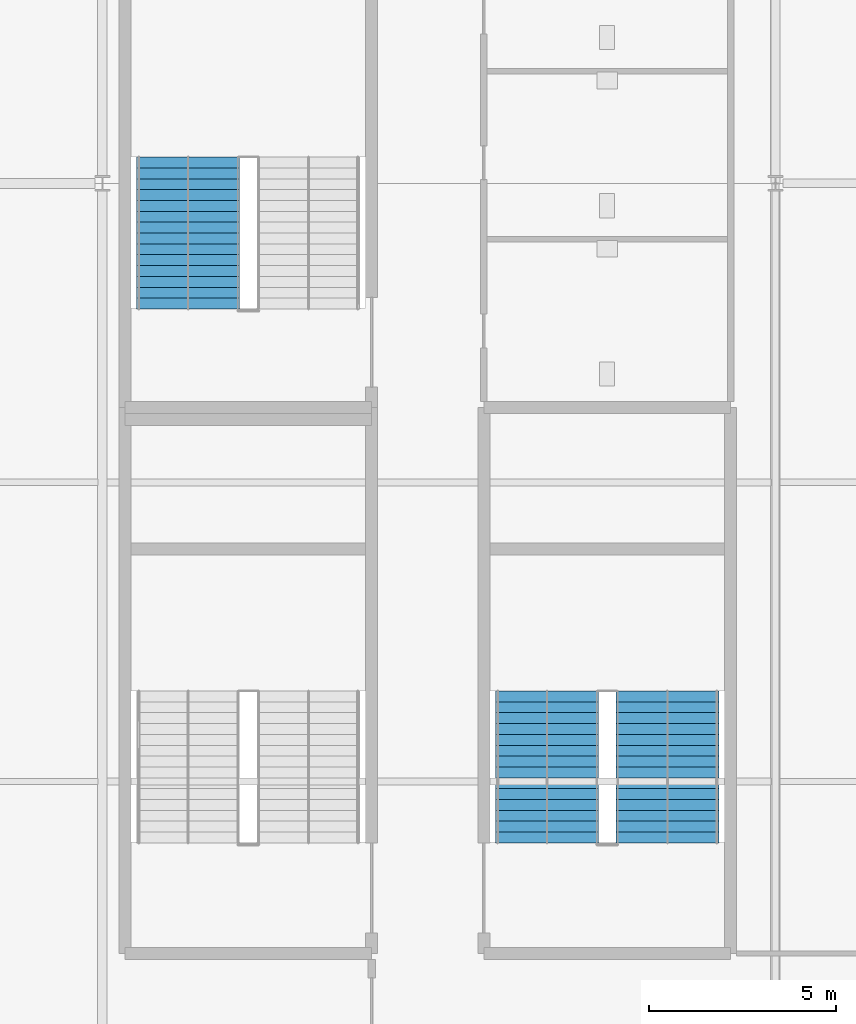
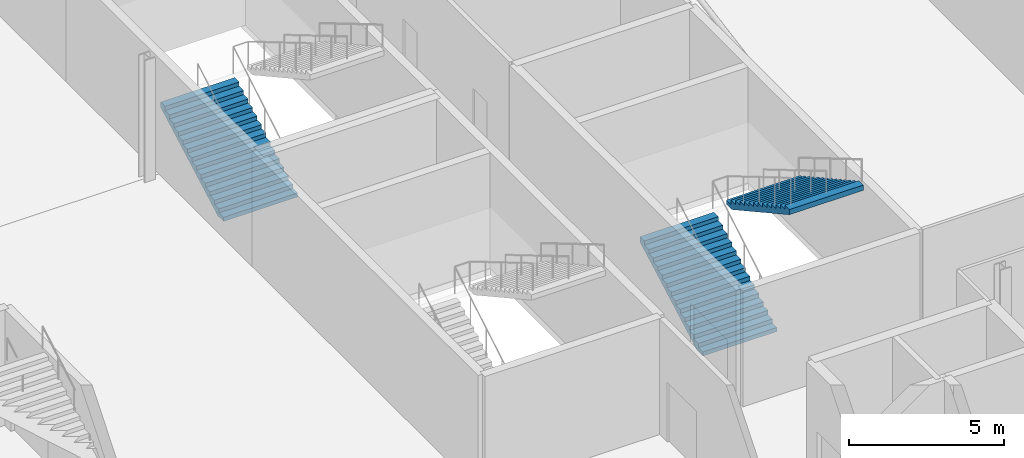
# One storey, part 122 of 136: 3 stair flights, 2 elements without a shape of their own.
"""IFC4 building model written with IfcOpenShell, lengths in metres."""

import ifcopenshell
import ifcopenshell.guid

model = None  # the IFC model being written
_history = None  # IfcOwnerHistory: only IFC2X3 demands one
_inside = {}  # id of a spatial element -> (the spatial element, [elements in it])
_under = {}  # id of a project, library or spatial element -> (it, [spatial elements below it])
_declared = {}  # id of a project -> (the project, [libraries it declares])
_typed = {}  # id of a type object -> (the type object, [elements of that type])
_made_of = {}  # id of a material, layer set ... -> (it, [elements and type objects made of it])


def new_model(schema):
    """Start an empty IFC model of exactly this schema.

    Asked for "IFC4X3", IfcOpenShell would pick the latest addendum, in which some entities
    have other attributes; the version numbers below select the first issue.
    IFC2X3 requires an IfcOwnerHistory on every rooted entity: one is made here for all.
    """
    global model, _history
    if schema == "IFC4X3":
        model = ifcopenshell.file(schema_version=(4, 3, 0, 0))
    else:
        model = ifcopenshell.file(schema=schema)
    _inside.clear()
    _under.clear()
    _declared.clear()
    _typed.clear()
    _made_of.clear()
    _history = None
    if model.schema == "IFC2X3":
        org = make("IfcOrganization", Name="unknown")
        user = make(
            "IfcPersonAndOrganization",
            ThePerson=make("IfcPerson", FamilyName="unknown"),
            TheOrganization=org,
        )
        app = make(
            "IfcApplication",
            ApplicationDeveloper=org,
            Version="unknown",
            ApplicationFullName="unknown",
            ApplicationIdentifier="unknown",
        )
        _history = make(
            "IfcOwnerHistory",
            OwningUser=user,
            OwningApplication=app,
            ChangeAction="ADDED",
            CreationDate=0,
        )
    return model


def make(cls, **values):
    """One entity of the class cls with the attributes given. An attribute that is None is left unset."""
    return model.create_entity(
        cls, **{name: value for name, value in values.items() if value is not None}
    )


def rooted(cls, **values):
    """An entity with a GlobalId (a new one), such as an element, a storey or a relation."""
    return make(cls, GlobalId=ifcopenshell.guid.new(), OwnerHistory=_history, **values)


def si_unit(unit_type, name, prefix=None):
    """IfcSIUnit, for example si_unit("LENGTHUNIT", "METRE", prefix="MILLI")."""
    return make("IfcSIUnit", UnitType=unit_type, Prefix=prefix, Name=name)


def assignment(units):
    """IfcUnitAssignment: the units of a project."""
    return None if units is None else make("IfcUnitAssignment", Units=units)


def point(xyz):
    """IfcCartesianPoint."""
    return None if xyz is None else make("IfcCartesianPoint", Coordinates=xyz)


def direction(xyz):
    """IfcDirection."""
    return None if xyz is None else make("IfcDirection", DirectionRatios=xyz)


def frame(location, z_axis=None, x_axis=None):
    """IfcAxis2Placement3D, a coordinate frame: its origin and axes. An axis left out is left unset."""
    return make(
        "IfcAxis2Placement3D",
        Location=point(location),
        Axis=direction(z_axis),
        RefDirection=direction(x_axis),
    )


def origin():
    """The frame at (0, 0, 0) with its axes left unset."""
    return frame((0.0, 0.0, 0.0))


def place(relative_to, where):
    """IfcLocalPlacement: puts the frame where relative to a parent placement (None: the world)."""
    return make(
        "IfcLocalPlacement", PlacementRelTo=relative_to, RelativePlacement=where
    )


def context(
    kind, dimensions, precision=None, world=None, true_north=None, identifier=None
):
    """IfcGeometricRepresentationContext, for example the 3D "Model" context."""
    return make(
        "IfcGeometricRepresentationContext",
        ContextIdentifier=identifier,
        ContextType=kind,
        CoordinateSpaceDimension=dimensions,
        Precision=precision,
        WorldCoordinateSystem=world,
        TrueNorth=true_north,
    )


def subcontext(parent, identifier, kind, view, scale=None):
    """IfcGeometricRepresentationSubContext, for example "Body" below "Model"."""
    return make(
        "IfcGeometricRepresentationSubContext",
        ContextIdentifier=identifier,
        ContextType=kind,
        ParentContext=parent,
        TargetScale=scale,
        TargetView=view,
    )


def project(units=None, contexts=None):
    """IfcProject with its units and contexts."""
    return rooted(
        "IfcProject",
        Name="project",
        RepresentationContexts=contexts,
        UnitsInContext=assignment(units),
    )


def spatial(cls, under=None, at=None, **own):
    """A site, building, storey or space (cls), placed at a placement, below another one or the project."""
    s = rooted(cls, ObjectPlacement=at, **own)
    if under is not None:
        _under.setdefault(under.id(), (under, []))[1].append(s)
    return s


def point_list(points):
    """IfcCartesianPointList2D or 3D."""
    cls = (
        "IfcCartesianPointList2D" if len(points[0]) == 2 else "IfcCartesianPointList3D"
    )
    return make(cls, CoordList=points)


def polygons(points, faces, closed=None, point_numbers=None):
    """IfcPolygonalFaceSet: a face is its outer loop, then its inner loops; points numbered from 1."""
    made = []
    for loops in faces:
        if len(loops) == 1:
            made.append(make("IfcIndexedPolygonalFace", CoordIndex=loops[0]))
        else:
            made.append(
                make(
                    "IfcIndexedPolygonalFaceWithVoids",
                    CoordIndex=loops[0],
                    InnerCoordIndices=loops[1:],
                )
            )
    return make(
        "IfcPolygonalFaceSet",
        Coordinates=point_list(points),
        Closed=closed,
        Faces=made,
        PnIndex=point_numbers,
    )


def shape(context_of_items, identifier, shape_type, items):
    """IfcShapeRepresentation: the items that make up one representation, for example the "Body"."""
    return make(
        "IfcShapeRepresentation",
        ContextOfItems=context_of_items,
        RepresentationIdentifier=identifier,
        RepresentationType=shape_type,
        Items=items,
    )


def material(Name=None, Category=None):
    """IfcMaterial."""
    return make("IfcMaterial", Name=Name, Category=Category)


def made_of(thing, what):
    """Note that an element or type object is made of a material, layer set ...; save() writes the relation."""
    if what is not None:
        _made_of.setdefault(what.id(), (what, []))[1].append(thing)
    return thing


def type_object(cls, material=None, **own):
    """A type object (cls), such as IfcWallType, which elements share."""
    return made_of(rooted(cls, **own), material)


def element(
    cls,
    number,
    at=None,
    inside=None,
    cuts=None,
    type_object=None,
    material=None,
    context=None,
    identifier="Body",
    shape_type=None,
    held_by="IfcProductDefinitionShape",
    body=None,
    shapes=None,
    **own,
):
    """One element of the class cls, such as IfcWall. Its Tag is "e" and its number.

    at: its placement. inside: the storey or other place that contains it. cuts: it is an
    opening in that element (IfcRelVoidsElement). A single representation is given by context,
    identifier, shape_type and body (its items); several are given by shapes. held_by: the class
    of the entity that holds the representations. save() writes the other relations.
    """
    e = rooted(cls, Tag="e%d" % number, ObjectPlacement=at, **own)
    if body is not None:
        shapes = [shape(context, identifier, shape_type, body)]
    if shapes is not None:
        e.Representation = make(held_by, Representations=shapes)
    if inside is not None:
        _inside.setdefault(inside.id(), (inside, []))[1].append(e)
    if cuts is not None:
        rooted(
            "IfcRelVoidsElement", RelatingBuildingElement=cuts, RelatedOpeningElement=e
        )
    if type_object is not None:
        _typed.setdefault(type_object.id(), (type_object, []))[1].append(e)
    return made_of(e, material)


def aggregate(whole, parts):
    """IfcRelAggregates: a whole, such as a stair, and the parts it consists of."""
    return rooted("IfcRelAggregates", RelatingObject=whole, RelatedObjects=parts)


def save(model, path):
    """Write the relations noted so far, then the file.

    IfcRelAggregates (storeys below a building ...), IfcRelContainedInSpatialStructure (elements
    in a storey), IfcRelDefinesByType, IfcRelAssociatesMaterial and IfcRelDeclares: one each for
    every whole, place, type object, material and project.
    """
    for whole, parts in _under.values():
        aggregate(whole, parts)
    for where, things in _inside.values():
        rooted(
            "IfcRelContainedInSpatialStructure",
            RelatedElements=things,
            RelatingStructure=where,
        )
    for kind, things in _typed.values():
        rooted("IfcRelDefinesByType", RelatedObjects=things, RelatingType=kind)
    for what, things in _made_of.values():
        rooted("IfcRelAssociatesMaterial", RelatedObjects=things, RelatingMaterial=what)
    for by, libraries in _declared.values():
        rooted("IfcRelDeclares", RelatingContext=by, RelatedDefinitions=libraries)
    model.write(path)


model = new_model("IFC4")

# Units and contexts
model_context = context("Model", 3, precision=1e-05, world=origin(), true_north=direction((0.0, 1.0)))
body_context = subcontext(model_context, "Body", "Model", "MODEL_VIEW")
ifc_project = project(units=[si_unit("LENGTHUNIT", "METRE"), si_unit("AREAUNIT", "SQUARE_METRE"), si_unit("VOLUMEUNIT", "CUBIC_METRE"), si_unit("PLANEANGLEUNIT", "RADIAN"), si_unit("MASSUNIT", "GRAM", prefix="KILO")], contexts=[model_context])

# Site, building, storey
site_placement = place(None, origin())
site = spatial("IfcSite", under=ifc_project, at=site_placement, CompositionType="ELEMENT")
building_placement = place(site_placement, origin())
building = spatial("IfcBuilding", under=site, at=building_placement, Name="Kisiwana Market Hall", CompositionType="ELEMENT")
storey_placement = place(building_placement, frame((0.0, 0.0, 16.800048828125)))
storey = spatial("IfcBuildingStorey", under=building, at=storey_placement, Name="L03", CompositionType="ELEMENT", Elevation=16.800048828125)

# Stair, stair flights
ifc_material_1 = material(Name="Concrete C32/40", Category="concrete")
stair_type = type_object("IfcStairType", Name="ST-ESC-4800", PredefinedType="TWO_STRAIGHT_RUN_STAIR", material=ifc_material_1)
stair_1_placement = place(storey_placement, origin())
stair_1 = element("IfcStair", 1, at=stair_1_placement, inside=storey, type_object=stair_type, Name="Escape stair ST-E3-L03", PredefinedType="TWO_STRAIGHT_RUN_STAIR")
ifc_material_2 = material(Name="Concrete C32/40", Category="concrete")
stair_flight_type = type_object("IfcStairFlightType", Name="SF-ESC-4800", PredefinedType="STRAIGHT", material=ifc_material_2)
stair_flight_1_placement = place(storey_placement, frame((182.889892578125, 42.360107421875, 0.0), z_axis=(0.0, 0.0, 1.0), x_axis=(0.0, 1.0, 0.0)))
stair_flight_1 = element("IfcStairFlight", 2, at=stair_flight_1_placement, type_object=stair_flight_type, Name="ST-E3-L03 flight 1", NumberOfRisers=15, NumberOfTreads=14, PredefinedType="STRAIGHT", RiserHeight=0.16, TreadLength=0.29, context=body_context, shape_type="Tessellation", body=[
    polygons([(0.0, -1.380127, 0.0), (0.0, -0.690125, 0.0), (0.0, -0.000122, 0.0), (0.0, 0.68988, 0.0), (0.0, 1.379883, 0.0), (0.0, -1.380127, 0.159912), (0.0, -0.690125, 0.159912), (0.0, -0.000122, 0.159912), (0.0, 0.68988, 0.159912), (0.0, 1.379883, 0.159912), (0.290039, -1.380127, 0.159912), (0.290039, -0.690125, 0.159912), (0.290039, -0.000122, 0.159912), (0.290039, 0.68988, 0.159912), (0.290039, 1.379883, 0.159912), (0.290039, -1.380127, 0.320068), (0.290039, -0.690125, 0.320068), (0.290039, -0.000122, 0.320068), (0.290039, 0.68988, 0.320068), (0.290039, 1.379883, 0.320068), (0.580078, -1.380127, 0.320068), (0.580078, -0.690125, 0.320068), (0.580078, -0.000122, 0.320068), (0.580078, 0.68988, 0.320068), (0.580078, 1.379883, 0.320068), (0.580078, -1.380127, 0.47998), (0.580078, -0.690125, 0.47998), (0.580078, -0.000122, 0.47998), (0.580078, 0.68988, 0.47998), (0.580078, 1.379883, 0.47998), (0.870117, -1.380127, 0.47998), (0.870117, -0.690125, 0.47998), (0.870117, -0.000122, 0.47998), (0.870117, 0.68988, 0.47998), (0.870117, 1.379883, 0.47998), (0.870117, -1.380127, 0.639893), (0.870117, -0.690125, 0.639893), (0.870117, -0.000122, 0.639893), (0.870117, 0.68988, 0.639893), (0.870117, 1.379883, 0.639893), (1.159912, -1.380127, 0.639893), (1.159912, -0.690125, 0.639893), (1.159912, -0.000122, 0.639893), (1.159912, 0.68988, 0.639893), (1.159912, 1.379883, 0.639893), (1.159912, -1.380127, 0.800049), (1.159912, -0.690125, 0.800049), (1.159912, -0.000122, 0.800049), (1.159912, 0.68988, 0.800049), (1.159912, 1.379883, 0.800049), (1.449951, -1.380127, 0.800049), (1.449951, -0.690125, 0.800049), (1.449951, -0.000122, 0.800049), (1.449951, 0.68988, 0.800049), (1.449951, 1.379883, 0.800049), (1.449951, -1.380127, 0.959961), (1.449951, -0.690125, 0.959961), (1.449951, -0.000122, 0.959961), (1.449951, 0.68988, 0.959961), (1.449951, 1.379883, 0.959961), (1.73999, -1.380127, 0.959961), (1.73999, -0.690125, 0.959961), (1.73999, -0.000122, 0.959961), (1.73999, 0.68988, 0.959961), (1.73999, 1.379883, 0.959961), (1.73999, -1.380127, 1.120117), (1.73999, -0.690125, 1.120117), (1.73999, -0.000122, 1.120117), (1.73999, 0.68988, 1.120117), (1.73999, 1.379883, 1.120117), (2.030029, -1.380127, 1.120117), (2.030029, -0.690125, 1.120117), (2.030029, -0.000122, 1.120117), (2.030029, 0.68988, 1.120117), (2.030029, 1.379883, 1.120117), (2.030029, -1.380127, 1.280029), (2.030029, -0.690125, 1.280029), (2.030029, -0.000122, 1.280029), (2.030029, 0.68988, 1.280029), (2.030029, 1.379883, 1.280029), (2.320068, -1.380127, 1.280029), (2.320068, -0.690125, 1.280029), (2.320068, -0.000122, 1.280029), (2.320068, 0.68988, 1.280029), (2.320068, 1.379883, 1.280029), (2.320068, -1.380127, 1.439941), (2.320068, -0.690125, 1.439941), (2.320068, -0.000122, 1.439941), (2.320068, 0.68988, 1.439941), (2.320068, 1.379883, 1.439941), (2.610107, -1.380127, 1.439941), (2.610107, -0.690125, 1.439941), (2.610107, -0.000122, 1.439941), (2.610107, 0.68988, 1.439941), (2.610107, 1.379883, 1.439941), (2.610107, -1.380127, 1.600098), (2.610107, -0.690125, 1.600098), (2.610107, -0.000122, 1.600098), (2.610107, 0.68988, 1.600098), (2.610107, 1.379883, 1.600098), (2.899902, -1.380127, 1.600098), (2.899902, -0.690125, 1.600098), (2.899902, -0.000122, 1.600098), (2.899902, 0.68988, 1.600098), (2.899902, 1.379883, 1.600098), (2.899902, -1.380127, 1.76001), (2.899902, -0.690125, 1.76001), (2.899902, -0.000122, 1.76001), (2.899902, 0.68988, 1.76001), (2.899902, 1.379883, 1.76001), (3.189941, -1.380127, 1.76001), (3.189941, -0.690125, 1.76001), (3.189941, -0.000122, 1.76001), (3.189941, 0.68988, 1.76001), (3.189941, 1.379883, 1.76001), (3.189941, -1.380127, 1.919922), (3.189941, -0.690125, 1.919922), (3.189941, -0.000122, 1.919922), (3.189941, 0.68988, 1.919922), (3.189941, 1.379883, 1.919922), (3.47998, -1.380127, 1.919922), (3.47998, -0.690125, 1.919922), (3.47998, -0.000122, 1.919922), (3.47998, 0.68988, 1.919922), (3.47998, 1.379883, 1.919922), (3.47998, -1.380127, 2.080078), (3.47998, -0.690125, 2.080078), (3.47998, -0.000122, 2.080078), (3.47998, 0.68988, 2.080078), (3.47998, 1.379883, 2.080078), (3.77002, -1.380127, 2.080078), (3.77002, -0.690125, 2.080078), (3.77002, -0.000122, 2.080078), (3.77002, 0.68988, 2.080078), (3.77002, 1.379883, 2.080078), (3.77002, -1.380127, 2.23999), (3.77002, -0.690125, 2.23999), (3.77002, -0.000122, 2.23999), (3.77002, 0.68988, 2.23999), (3.77002, 1.379883, 2.23999), (4.060059, -1.380127, 2.23999), (4.060059, -0.690125, 2.23999), (4.060059, -0.000122, 2.23999), (4.060059, 0.68988, 2.23999), (4.060059, 1.379883, 2.23999), (4.060059, -1.380127, 2.034424), (4.060059, -0.690125, 2.034424), (4.060059, -0.000122, 2.034424), (4.060059, 0.68988, 2.034424), (4.060059, 1.379883, 2.034424), (0.372559, -1.380127, 0.0), (0.372559, -0.690125, 0.0), (0.372559, -0.000122, 0.0), (0.372559, 0.68988, 0.0), (0.372559, 1.379883, 0.0)], [[[1, 6, 7, 2]], [[2, 7, 8, 3]], [[3, 8, 9, 4]], [[4, 9, 10, 5]], [[6, 11, 12, 7]], [[7, 12, 13, 8]], [[8, 13, 14, 9]], [[9, 14, 15, 10]], [[11, 16, 17, 12]], [[12, 17, 18, 13]], [[13, 18, 19, 14]], [[14, 19, 20, 15]], [[16, 21, 22, 17]], [[17, 22, 23, 18]], [[18, 23, 24, 19]], [[19, 24, 25, 20]], [[21, 26, 27, 22]], [[22, 27, 28, 23]], [[23, 28, 29, 24]], [[24, 29, 30, 25]], [[26, 31, 32, 27]], [[27, 32, 33, 28]], [[28, 33, 34, 29]], [[29, 34, 35, 30]], [[31, 36, 37, 32]], [[32, 37, 38, 33]], [[33, 38, 39, 34]], [[34, 39, 40, 35]], [[36, 41, 42, 37]], [[37, 42, 43, 38]], [[38, 43, 44, 39]], [[39, 44, 45, 40]], [[41, 46, 47, 42]], [[42, 47, 48, 43]], [[43, 48, 49, 44]], [[44, 49, 50, 45]], [[46, 51, 52, 47]], [[47, 52, 53, 48]], [[48, 53, 54, 49]], [[49, 54, 55, 50]], [[51, 56, 57, 52]], [[52, 57, 58, 53]], [[53, 58, 59, 54]], [[54, 59, 60, 55]], [[56, 61, 62, 57]], [[57, 62, 63, 58]], [[58, 63, 64, 59]], [[59, 64, 65, 60]], [[61, 66, 67, 62]], [[62, 67, 68, 63]], [[63, 68, 69, 64]], [[64, 69, 70, 65]], [[66, 71, 72, 67]], [[67, 72, 73, 68]], [[68, 73, 74, 69]], [[69, 74, 75, 70]], [[71, 76, 77, 72]], [[72, 77, 78, 73]], [[73, 78, 79, 74]], [[74, 79, 80, 75]], [[76, 81, 82, 77]], [[77, 82, 83, 78]], [[78, 83, 84, 79]], [[79, 84, 85, 80]], [[81, 86, 87, 82]], [[82, 87, 88, 83]], [[83, 88, 89, 84]], [[84, 89, 90, 85]], [[86, 91, 92, 87]], [[87, 92, 93, 88]], [[88, 93, 94, 89]], [[89, 94, 95, 90]], [[91, 96, 97, 92]], [[92, 97, 98, 93]], [[93, 98, 99, 94]], [[94, 99, 100, 95]], [[96, 101, 102, 97]], [[97, 102, 103, 98]], [[98, 103, 104, 99]], [[99, 104, 105, 100]], [[101, 106, 107, 102]], [[102, 107, 108, 103]], [[103, 108, 109, 104]], [[104, 109, 110, 105]], [[106, 111, 112, 107]], [[107, 112, 113, 108]], [[108, 113, 114, 109]], [[109, 114, 115, 110]], [[111, 116, 117, 112]], [[112, 117, 118, 113]], [[113, 118, 119, 114]], [[114, 119, 120, 115]], [[116, 121, 122, 117]], [[117, 122, 123, 118]], [[118, 123, 124, 119]], [[119, 124, 125, 120]], [[121, 126, 127, 122]], [[122, 127, 128, 123]], [[123, 128, 129, 124]], [[124, 129, 130, 125]], [[126, 131, 132, 127]], [[127, 132, 133, 128]], [[128, 133, 134, 129]], [[129, 134, 135, 130]], [[131, 136, 137, 132]], [[132, 137, 138, 133]], [[133, 138, 139, 134]], [[134, 139, 140, 135]], [[136, 141, 142, 137]], [[137, 142, 143, 138]], [[138, 143, 144, 139]], [[139, 144, 145, 140]], [[141, 146, 147, 142]], [[142, 147, 148, 143]], [[143, 148, 149, 144]], [[144, 149, 150, 145]], [[146, 151, 152, 147]], [[147, 152, 153, 148]], [[148, 153, 154, 149]], [[149, 154, 155, 150]], [[151, 1, 2, 152]], [[152, 2, 3, 153]], [[153, 3, 4, 154]], [[154, 4, 5, 155]], [[151, 146, 141, 136, 131, 126, 121, 116, 111, 106, 101, 96, 91, 86, 81, 76, 71, 66, 61, 56, 51, 46, 41, 36, 31, 26, 21, 16, 11, 6, 1]], [[5, 10, 15, 20, 25, 30, 35, 40, 45, 50, 55, 60, 65, 70, 75, 80, 85, 90, 95, 100, 105, 110, 115, 120, 125, 130, 135, 140, 145, 150, 155]]], closed=True),
])
stair_flight_2_placement = place(storey_placement, frame((186.110107421875, 46.419921875, 2.39990234375), z_axis=(0.0, 0.0, 1.0), x_axis=(0.0, -1.0, 0.0)))
stair_flight_2 = element("IfcStairFlight", 3, at=stair_flight_2_placement, type_object=stair_flight_type, Name="ST-E3-L03 flight 2", NumberOfRisers=15, NumberOfTreads=14, PredefinedType="STRAIGHT", RiserHeight=0.16, TreadLength=0.29, context=body_context, shape_type="Tessellation", body=[
    polygons([(0.0, -1.380127, 0.0), (0.0, -0.690125, 0.0), (0.0, -0.000122, 0.0), (0.0, 0.68988, 0.0), (0.0, 1.379883, 0.0), (0.0, -1.380127, 0.159912), (0.0, -0.690125, 0.159912), (0.0, -0.000122, 0.159912), (0.0, 0.68988, 0.159912), (0.0, 1.379883, 0.159912), (0.290039, -1.380127, 0.159912), (0.290039, -0.690125, 0.159912), (0.290039, -0.000122, 0.159912), (0.290039, 0.68988, 0.159912), (0.290039, 1.379883, 0.159912), (0.290039, -1.380127, 0.320068), (0.290039, -0.690125, 0.320068), (0.290039, -0.000122, 0.320068), (0.290039, 0.68988, 0.320068), (0.290039, 1.379883, 0.320068), (0.580078, -1.380127, 0.320068), (0.580078, -0.690125, 0.320068), (0.580078, -0.000122, 0.320068), (0.580078, 0.68988, 0.320068), (0.580078, 1.379883, 0.320068), (0.580078, -1.380127, 0.47998), (0.580078, -0.690125, 0.47998), (0.580078, -0.000122, 0.47998), (0.580078, 0.68988, 0.47998), (0.580078, 1.379883, 0.47998), (0.870117, -1.380127, 0.47998), (0.870117, -0.690125, 0.47998), (0.870117, -0.000122, 0.47998), (0.870117, 0.68988, 0.47998), (0.870117, 1.379883, 0.47998), (0.870117, -1.380127, 0.639893), (0.870117, -0.690125, 0.639893), (0.870117, -0.000122, 0.639893), (0.870117, 0.68988, 0.639893), (0.870117, 1.379883, 0.639893), (1.159912, -1.380127, 0.639893), (1.159912, -0.690125, 0.639893), (1.159912, -0.000122, 0.639893), (1.159912, 0.68988, 0.639893), (1.159912, 1.379883, 0.639893), (1.159912, -1.380127, 0.800049), (1.159912, -0.690125, 0.800049), (1.159912, -0.000122, 0.800049), (1.159912, 0.68988, 0.800049), (1.159912, 1.379883, 0.800049), (1.449951, -1.380127, 0.800049), (1.449951, -0.690125, 0.800049), (1.449951, -0.000122, 0.800049), (1.449951, 0.68988, 0.800049), (1.449951, 1.379883, 0.800049), (1.449951, -1.380127, 0.959961), (1.449951, -0.690125, 0.959961), (1.449951, -0.000122, 0.959961), (1.449951, 0.68988, 0.959961), (1.449951, 1.379883, 0.959961), (1.73999, -1.380127, 0.959961), (1.73999, -0.690125, 0.959961), (1.73999, -0.000122, 0.959961), (1.73999, 0.68988, 0.959961), (1.73999, 1.379883, 0.959961), (1.73999, -1.380127, 1.120117), (1.73999, -0.690125, 1.120117), (1.73999, -0.000122, 1.120117), (1.73999, 0.68988, 1.120117), (1.73999, 1.379883, 1.120117), (2.030029, -1.380127, 1.120117), (2.030029, -0.690125, 1.120117), (2.030029, -0.000122, 1.120117), (2.030029, 0.68988, 1.120117), (2.030029, 1.379883, 1.120117), (2.030029, -1.380127, 1.280029), (2.030029, -0.690125, 1.280029), (2.030029, -0.000122, 1.280029), (2.030029, 0.68988, 1.280029), (2.030029, 1.379883, 1.280029), (2.320068, -1.380127, 1.280029), (2.320068, -0.690125, 1.280029), (2.320068, -0.000122, 1.280029), (2.320068, 0.68988, 1.280029), (2.320068, 1.379883, 1.280029), (2.320068, -1.380127, 1.439941), (2.320068, -0.690125, 1.439941), (2.320068, -0.000122, 1.439941), (2.320068, 0.68988, 1.439941), (2.320068, 1.379883, 1.439941), (2.610107, -1.380127, 1.439941), (2.610107, -0.690125, 1.439941), (2.610107, -0.000122, 1.439941), (2.610107, 0.68988, 1.439941), (2.610107, 1.379883, 1.439941), (2.610107, -1.380127, 1.600098), (2.610107, -0.690125, 1.600098), (2.610107, -0.000122, 1.600098), (2.610107, 0.68988, 1.600098), (2.610107, 1.379883, 1.600098), (2.899902, -1.380127, 1.600098), (2.899902, -0.690125, 1.600098), (2.899902, -0.000122, 1.600098), (2.899902, 0.68988, 1.600098), (2.899902, 1.379883, 1.600098), (2.899902, -1.380127, 1.76001), (2.899902, -0.690125, 1.76001), (2.899902, -0.000122, 1.76001), (2.899902, 0.68988, 1.76001), (2.899902, 1.379883, 1.76001), (3.189941, -1.380127, 1.76001), (3.189941, -0.690125, 1.76001), (3.189941, -0.000122, 1.76001), (3.189941, 0.68988, 1.76001), (3.189941, 1.379883, 1.76001), (3.189941, -1.380127, 1.919922), (3.189941, -0.690125, 1.919922), (3.189941, -0.000122, 1.919922), (3.189941, 0.68988, 1.919922), (3.189941, 1.379883, 1.919922), (3.47998, -1.380127, 1.919922), (3.47998, -0.690125, 1.919922), (3.47998, -0.000122, 1.919922), (3.47998, 0.68988, 1.919922), (3.47998, 1.379883, 1.919922), (3.47998, -1.380127, 2.080078), (3.47998, -0.690125, 2.080078), (3.47998, -0.000122, 2.080078), (3.47998, 0.68988, 2.080078), (3.47998, 1.379883, 2.080078), (3.77002, -1.380127, 2.080078), (3.77002, -0.690125, 2.080078), (3.77002, -0.000122, 2.080078), (3.77002, 0.68988, 2.080078), (3.77002, 1.379883, 2.080078), (3.77002, -1.380127, 2.23999), (3.77002, -0.690125, 2.23999), (3.77002, -0.000122, 2.23999), (3.77002, 0.68988, 2.23999), (3.77002, 1.379883, 2.23999), (4.060059, -1.380127, 2.23999), (4.060059, -0.690125, 2.23999), (4.060059, -0.000122, 2.23999), (4.060059, 0.68988, 2.23999), (4.060059, 1.379883, 2.23999), (4.060059, -1.380127, 2.034424), (4.060059, -0.690125, 2.034424), (4.060059, -0.000122, 2.034424), (4.060059, 0.68988, 2.034424), (4.060059, 1.379883, 2.034424), (0.372559, -1.380127, 0.0), (0.372559, -0.690125, 0.0), (0.372559, -0.000122, 0.0), (0.372559, 0.68988, 0.0), (0.372559, 1.379883, 0.0)], [[[1, 6, 7, 2]], [[2, 7, 8, 3]], [[3, 8, 9, 4]], [[4, 9, 10, 5]], [[6, 11, 12, 7]], [[7, 12, 13, 8]], [[8, 13, 14, 9]], [[9, 14, 15, 10]], [[11, 16, 17, 12]], [[12, 17, 18, 13]], [[13, 18, 19, 14]], [[14, 19, 20, 15]], [[16, 21, 22, 17]], [[17, 22, 23, 18]], [[18, 23, 24, 19]], [[19, 24, 25, 20]], [[21, 26, 27, 22]], [[22, 27, 28, 23]], [[23, 28, 29, 24]], [[24, 29, 30, 25]], [[26, 31, 32, 27]], [[27, 32, 33, 28]], [[28, 33, 34, 29]], [[29, 34, 35, 30]], [[31, 36, 37, 32]], [[32, 37, 38, 33]], [[33, 38, 39, 34]], [[34, 39, 40, 35]], [[36, 41, 42, 37]], [[37, 42, 43, 38]], [[38, 43, 44, 39]], [[39, 44, 45, 40]], [[41, 46, 47, 42]], [[42, 47, 48, 43]], [[43, 48, 49, 44]], [[44, 49, 50, 45]], [[46, 51, 52, 47]], [[47, 52, 53, 48]], [[48, 53, 54, 49]], [[49, 54, 55, 50]], [[51, 56, 57, 52]], [[52, 57, 58, 53]], [[53, 58, 59, 54]], [[54, 59, 60, 55]], [[56, 61, 62, 57]], [[57, 62, 63, 58]], [[58, 63, 64, 59]], [[59, 64, 65, 60]], [[61, 66, 67, 62]], [[62, 67, 68, 63]], [[63, 68, 69, 64]], [[64, 69, 70, 65]], [[66, 71, 72, 67]], [[67, 72, 73, 68]], [[68, 73, 74, 69]], [[69, 74, 75, 70]], [[71, 76, 77, 72]], [[72, 77, 78, 73]], [[73, 78, 79, 74]], [[74, 79, 80, 75]], [[76, 81, 82, 77]], [[77, 82, 83, 78]], [[78, 83, 84, 79]], [[79, 84, 85, 80]], [[81, 86, 87, 82]], [[82, 87, 88, 83]], [[83, 88, 89, 84]], [[84, 89, 90, 85]], [[86, 91, 92, 87]], [[87, 92, 93, 88]], [[88, 93, 94, 89]], [[89, 94, 95, 90]], [[91, 96, 97, 92]], [[92, 97, 98, 93]], [[93, 98, 99, 94]], [[94, 99, 100, 95]], [[96, 101, 102, 97]], [[97, 102, 103, 98]], [[98, 103, 104, 99]], [[99, 104, 105, 100]], [[101, 106, 107, 102]], [[102, 107, 108, 103]], [[103, 108, 109, 104]], [[104, 109, 110, 105]], [[106, 111, 112, 107]], [[107, 112, 113, 108]], [[108, 113, 114, 109]], [[109, 114, 115, 110]], [[111, 116, 117, 112]], [[112, 117, 118, 113]], [[113, 118, 119, 114]], [[114, 119, 120, 115]], [[116, 121, 122, 117]], [[117, 122, 123, 118]], [[118, 123, 124, 119]], [[119, 124, 125, 120]], [[121, 126, 127, 122]], [[122, 127, 128, 123]], [[123, 128, 129, 124]], [[124, 129, 130, 125]], [[126, 131, 132, 127]], [[127, 132, 133, 128]], [[128, 133, 134, 129]], [[129, 134, 135, 130]], [[131, 136, 137, 132]], [[132, 137, 138, 133]], [[133, 138, 139, 134]], [[134, 139, 140, 135]], [[136, 141, 142, 137]], [[137, 142, 143, 138]], [[138, 143, 144, 139]], [[139, 144, 145, 140]], [[141, 146, 147, 142]], [[142, 147, 148, 143]], [[143, 148, 149, 144]], [[144, 149, 150, 145]], [[146, 151, 152, 147]], [[147, 152, 153, 148]], [[148, 153, 154, 149]], [[149, 154, 155, 150]], [[151, 1, 2, 152]], [[152, 2, 3, 153]], [[153, 3, 4, 154]], [[154, 4, 5, 155]], [[151, 146, 141, 136, 131, 126, 121, 116, 111, 106, 101, 96, 91, 86, 81, 76, 71, 66, 61, 56, 51, 46, 41, 36, 31, 26, 21, 16, 11, 6, 1]], [[5, 10, 15, 20, 25, 30, 35, 40, 45, 50, 55, 60, 65, 70, 75, 80, 85, 90, 95, 100, 105, 110, 115, 120, 125, 130, 135, 140, 145, 150, 155]]], closed=True),
])
aggregate(stair_1, [stair_flight_1, stair_flight_2])

# Stair, stair flight
stair_2_placement = place(storey_placement, origin())
stair_2 = element("IfcStair", 4, at=stair_2_placement, inside=storey, type_object=stair_type, Name="Escape stair ST-E5-L03", PredefinedType="TWO_STRAIGHT_RUN_STAIR")
stair_flight_3_placement = place(storey_placement, frame((173.2900390625, 56.639892578125, 0.0), z_axis=(0.0, 0.0, 1.0), x_axis=(0.0, 1.0, 0.0)))
stair_flight_3 = element("IfcStairFlight", 5, at=stair_flight_3_placement, type_object=stair_flight_type, Name="ST-E5-L03 flight 1", NumberOfRisers=15, NumberOfTreads=14, PredefinedType="STRAIGHT", RiserHeight=0.16, TreadLength=0.29, context=body_context, shape_type="Tessellation", body=[
    polygons([(0.0, -1.380127, 0.0), (0.0, -0.690125, 0.0), (0.0, -0.000122, 0.0), (0.0, 0.68988, 0.0), (0.0, 1.379883, 0.0), (0.0, -1.380127, 0.159912), (0.0, -0.690125, 0.159912), (0.0, -0.000122, 0.159912), (0.0, 0.68988, 0.159912), (0.0, 1.379883, 0.159912), (0.290039, -1.380127, 0.159912), (0.290039, -0.690125, 0.159912), (0.290039, -0.000122, 0.159912), (0.290039, 0.68988, 0.159912), (0.290039, 1.379883, 0.159912), (0.290039, -1.380127, 0.320068), (0.290039, -0.690125, 0.320068), (0.290039, -0.000122, 0.320068), (0.290039, 0.68988, 0.320068), (0.290039, 1.379883, 0.320068), (0.580078, -1.380127, 0.320068), (0.580078, -0.690125, 0.320068), (0.580078, -0.000122, 0.320068), (0.580078, 0.68988, 0.320068), (0.580078, 1.379883, 0.320068), (0.580078, -1.380127, 0.47998), (0.580078, -0.690125, 0.47998), (0.580078, -0.000122, 0.47998), (0.580078, 0.68988, 0.47998), (0.580078, 1.379883, 0.47998), (0.870117, -1.380127, 0.47998), (0.870117, -0.690125, 0.47998), (0.870117, -0.000122, 0.47998), (0.870117, 0.68988, 0.47998), (0.870117, 1.379883, 0.47998), (0.870117, -1.380127, 0.639893), (0.870117, -0.690125, 0.639893), (0.870117, -0.000122, 0.639893), (0.870117, 0.68988, 0.639893), (0.870117, 1.379883, 0.639893), (1.159912, -1.380127, 0.639893), (1.159912, -0.690125, 0.639893), (1.159912, -0.000122, 0.639893), (1.159912, 0.68988, 0.639893), (1.159912, 1.379883, 0.639893), (1.159912, -1.380127, 0.800049), (1.159912, -0.690125, 0.800049), (1.159912, -0.000122, 0.800049), (1.159912, 0.68988, 0.800049), (1.159912, 1.379883, 0.800049), (1.449951, -1.380127, 0.800049), (1.449951, -0.690125, 0.800049), (1.449951, -0.000122, 0.800049), (1.449951, 0.68988, 0.800049), (1.449951, 1.379883, 0.800049), (1.449951, -1.380127, 0.959961), (1.449951, -0.690125, 0.959961), (1.449951, -0.000122, 0.959961), (1.449951, 0.68988, 0.959961), (1.449951, 1.379883, 0.959961), (1.73999, -1.380127, 0.959961), (1.73999, -0.690125, 0.959961), (1.73999, -0.000122, 0.959961), (1.73999, 0.68988, 0.959961), (1.73999, 1.379883, 0.959961), (1.73999, -1.380127, 1.120117), (1.73999, -0.690125, 1.120117), (1.73999, -0.000122, 1.120117), (1.73999, 0.68988, 1.120117), (1.73999, 1.379883, 1.120117), (2.030029, -1.380127, 1.120117), (2.030029, -0.690125, 1.120117), (2.030029, -0.000122, 1.120117), (2.030029, 0.68988, 1.120117), (2.030029, 1.379883, 1.120117), (2.030029, -1.380127, 1.280029), (2.030029, -0.690125, 1.280029), (2.030029, -0.000122, 1.280029), (2.030029, 0.68988, 1.280029), (2.030029, 1.379883, 1.280029), (2.320068, -1.380127, 1.280029), (2.320068, -0.690125, 1.280029), (2.320068, -0.000122, 1.280029), (2.320068, 0.68988, 1.280029), (2.320068, 1.379883, 1.280029), (2.320068, -1.380127, 1.439941), (2.320068, -0.690125, 1.439941), (2.320068, -0.000122, 1.439941), (2.320068, 0.68988, 1.439941), (2.320068, 1.379883, 1.439941), (2.610107, -1.380127, 1.439941), (2.610107, -0.690125, 1.439941), (2.610107, -0.000122, 1.439941), (2.610107, 0.68988, 1.439941), (2.610107, 1.379883, 1.439941), (2.610107, -1.380127, 1.600098), (2.610107, -0.690125, 1.600098), (2.610107, -0.000122, 1.600098), (2.610107, 0.68988, 1.600098), (2.610107, 1.379883, 1.600098), (2.899902, -1.380127, 1.600098), (2.899902, -0.690125, 1.600098), (2.899902, -0.000122, 1.600098), (2.899902, 0.68988, 1.600098), (2.899902, 1.379883, 1.600098), (2.899902, -1.380127, 1.76001), (2.899902, -0.690125, 1.76001), (2.899902, -0.000122, 1.76001), (2.899902, 0.68988, 1.76001), (2.899902, 1.379883, 1.76001), (3.189941, -1.380127, 1.76001), (3.189941, -0.690125, 1.76001), (3.189941, -0.000122, 1.76001), (3.189941, 0.68988, 1.76001), (3.189941, 1.379883, 1.76001), (3.189941, -1.380127, 1.919922), (3.189941, -0.690125, 1.919922), (3.189941, -0.000122, 1.919922), (3.189941, 0.68988, 1.919922), (3.189941, 1.379883, 1.919922), (3.47998, -1.380127, 1.919922), (3.47998, -0.690125, 1.919922), (3.47998, -0.000122, 1.919922), (3.47998, 0.68988, 1.919922), (3.47998, 1.379883, 1.919922), (3.47998, -1.380127, 2.080078), (3.47998, -0.690125, 2.080078), (3.47998, -0.000122, 2.080078), (3.47998, 0.68988, 2.080078), (3.47998, 1.379883, 2.080078), (3.77002, -1.380127, 2.080078), (3.77002, -0.690125, 2.080078), (3.77002, -0.000122, 2.080078), (3.77002, 0.68988, 2.080078), (3.77002, 1.379883, 2.080078), (3.77002, -1.380127, 2.23999), (3.77002, -0.690125, 2.23999), (3.77002, -0.000122, 2.23999), (3.77002, 0.68988, 2.23999), (3.77002, 1.379883, 2.23999), (4.060059, -1.380127, 2.23999), (4.060059, -0.690125, 2.23999), (4.060059, -0.000122, 2.23999), (4.060059, 0.68988, 2.23999), (4.060059, 1.379883, 2.23999), (4.060059, -1.380127, 2.034424), (4.060059, -0.690125, 2.034424), (4.060059, -0.000122, 2.034424), (4.060059, 0.68988, 2.034424), (4.060059, 1.379883, 2.034424), (0.372559, -1.380127, 0.0), (0.372559, -0.690125, 0.0), (0.372559, -0.000122, 0.0), (0.372559, 0.68988, 0.0), (0.372559, 1.379883, 0.0)], [[[1, 6, 7, 2]], [[2, 7, 8, 3]], [[3, 8, 9, 4]], [[4, 9, 10, 5]], [[6, 11, 12, 7]], [[7, 12, 13, 8]], [[8, 13, 14, 9]], [[9, 14, 15, 10]], [[11, 16, 17, 12]], [[12, 17, 18, 13]], [[13, 18, 19, 14]], [[14, 19, 20, 15]], [[16, 21, 22, 17]], [[17, 22, 23, 18]], [[18, 23, 24, 19]], [[19, 24, 25, 20]], [[21, 26, 27, 22]], [[22, 27, 28, 23]], [[23, 28, 29, 24]], [[24, 29, 30, 25]], [[26, 31, 32, 27]], [[27, 32, 33, 28]], [[28, 33, 34, 29]], [[29, 34, 35, 30]], [[31, 36, 37, 32]], [[32, 37, 38, 33]], [[33, 38, 39, 34]], [[34, 39, 40, 35]], [[36, 41, 42, 37]], [[37, 42, 43, 38]], [[38, 43, 44, 39]], [[39, 44, 45, 40]], [[41, 46, 47, 42]], [[42, 47, 48, 43]], [[43, 48, 49, 44]], [[44, 49, 50, 45]], [[46, 51, 52, 47]], [[47, 52, 53, 48]], [[48, 53, 54, 49]], [[49, 54, 55, 50]], [[51, 56, 57, 52]], [[52, 57, 58, 53]], [[53, 58, 59, 54]], [[54, 59, 60, 55]], [[56, 61, 62, 57]], [[57, 62, 63, 58]], [[58, 63, 64, 59]], [[59, 64, 65, 60]], [[61, 66, 67, 62]], [[62, 67, 68, 63]], [[63, 68, 69, 64]], [[64, 69, 70, 65]], [[66, 71, 72, 67]], [[67, 72, 73, 68]], [[68, 73, 74, 69]], [[69, 74, 75, 70]], [[71, 76, 77, 72]], [[72, 77, 78, 73]], [[73, 78, 79, 74]], [[74, 79, 80, 75]], [[76, 81, 82, 77]], [[77, 82, 83, 78]], [[78, 83, 84, 79]], [[79, 84, 85, 80]], [[81, 86, 87, 82]], [[82, 87, 88, 83]], [[83, 88, 89, 84]], [[84, 89, 90, 85]], [[86, 91, 92, 87]], [[87, 92, 93, 88]], [[88, 93, 94, 89]], [[89, 94, 95, 90]], [[91, 96, 97, 92]], [[92, 97, 98, 93]], [[93, 98, 99, 94]], [[94, 99, 100, 95]], [[96, 101, 102, 97]], [[97, 102, 103, 98]], [[98, 103, 104, 99]], [[99, 104, 105, 100]], [[101, 106, 107, 102]], [[102, 107, 108, 103]], [[103, 108, 109, 104]], [[104, 109, 110, 105]], [[106, 111, 112, 107]], [[107, 112, 113, 108]], [[108, 113, 114, 109]], [[109, 114, 115, 110]], [[111, 116, 117, 112]], [[112, 117, 118, 113]], [[113, 118, 119, 114]], [[114, 119, 120, 115]], [[116, 121, 122, 117]], [[117, 122, 123, 118]], [[118, 123, 124, 119]], [[119, 124, 125, 120]], [[121, 126, 127, 122]], [[122, 127, 128, 123]], [[123, 128, 129, 124]], [[124, 129, 130, 125]], [[126, 131, 132, 127]], [[127, 132, 133, 128]], [[128, 133, 134, 129]], [[129, 134, 135, 130]], [[131, 136, 137, 132]], [[132, 137, 138, 133]], [[133, 138, 139, 134]], [[134, 139, 140, 135]], [[136, 141, 142, 137]], [[137, 142, 143, 138]], [[138, 143, 144, 139]], [[139, 144, 145, 140]], [[141, 146, 147, 142]], [[142, 147, 148, 143]], [[143, 148, 149, 144]], [[144, 149, 150, 145]], [[146, 151, 152, 147]], [[147, 152, 153, 148]], [[148, 153, 154, 149]], [[149, 154, 155, 150]], [[151, 1, 2, 152]], [[152, 2, 3, 153]], [[153, 3, 4, 154]], [[154, 4, 5, 155]], [[151, 146, 141, 136, 131, 126, 121, 116, 111, 106, 101, 96, 91, 86, 81, 76, 71, 66, 61, 56, 51, 46, 41, 36, 31, 26, 21, 16, 11, 6, 1]], [[5, 10, 15, 20, 25, 30, 35, 40, 45, 50, 55, 60, 65, 70, 75, 80, 85, 90, 95, 100, 105, 110, 115, 120, 125, 130, 135, 140, 145, 150, 155]]], closed=True),
])
aggregate(stair_2, [stair_flight_3])

save(model, "model.ifc")
